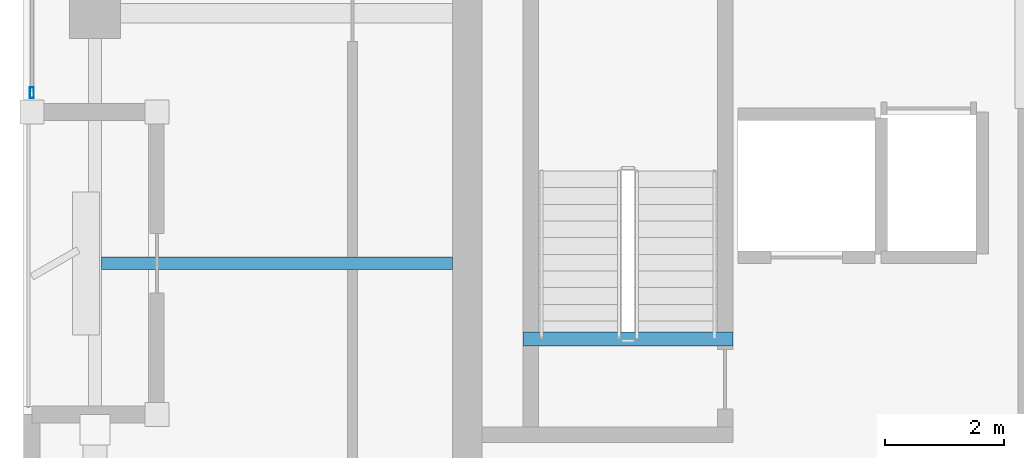
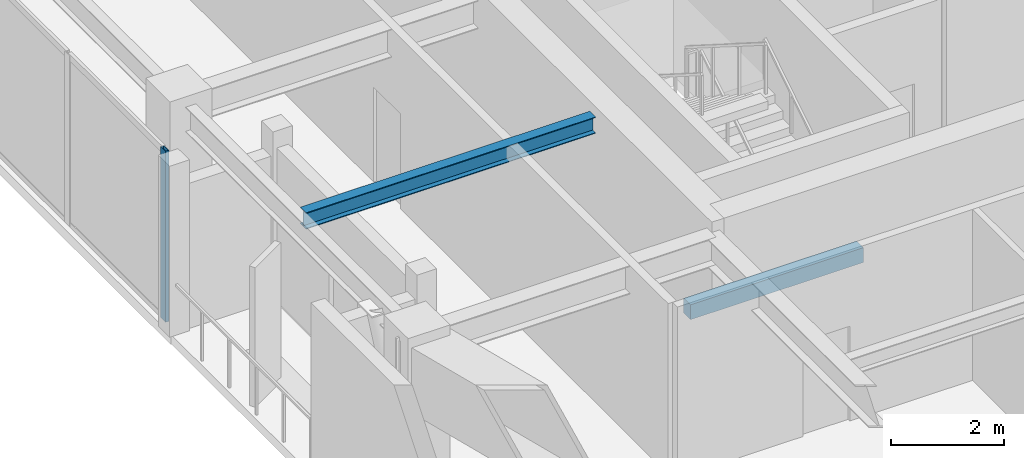
# One storey, part 2 of 15: 2 beams, 1 member, 1 element without a shape of its own.
"""IFC4 building model written with IfcOpenShell, lengths in metres."""

from ifc_helpers import new_model, si_unit, direction, frame, origin, origin_2d, place, context, subcontext, project, spatial, rectangle, hollow_rectangle, i_section, extrude, material, layer, layer_set, material_profile, profile_set, type_object, element, aggregate, save


model = new_model("IFC4")

# Units and contexts
model_context = context("Model", 3, precision=1e-05, world=origin(), true_north=direction((0.0, 1.0)))
body_context = subcontext(model_context, "Body", "Model", "MODEL_VIEW")
ifc_project = project(units=[si_unit("LENGTHUNIT", "METRE"), si_unit("AREAUNIT", "SQUARE_METRE"), si_unit("VOLUMEUNIT", "CUBIC_METRE"), si_unit("PLANEANGLEUNIT", "RADIAN"), si_unit("MASSUNIT", "GRAM", prefix="KILO")], contexts=[model_context])

# Site, building, storey
site_placement = place(None, origin())
site = spatial("IfcSite", under=ifc_project, at=site_placement, CompositionType="ELEMENT")
building_placement = place(site_placement, origin())
building = spatial("IfcBuilding", under=site, at=building_placement, Name="Kiyonajd Concourse Tower", CompositionType="ELEMENT")
storey_placement = place(building_placement, frame((0.0, 0.0, 321.89990234375)))
storey = spatial("IfcBuildingStorey", under=building, at=storey_placement, Name="L81", CompositionType="ELEMENT", Elevation=321.89990234375)

# Beams
ifc_material_1 = material(Name="Steel ASTM A992 Grade 50", Category="steel")
ifc_material_profile_1 = material_profile(ifc_material_1, i_section(OverallWidth=0.205078125, OverallDepth=0.35400390625, WebThickness=0.009521484375, FlangeThickness=0.016845703125, at=origin_2d()), Name="W360X79")
ifc_profile_set_1 = profile_set([ifc_material_profile_1], Name="Steel ASTM A992 Grade 50")
beam_type_1 = type_object("IfcBeamType", Name="BM-JST-360", PredefinedType="JOIST", material=ifc_profile_set_1)
beam_1_placement = place(storey_placement, frame((26.505615234375, 31.800048828125, 3.503173828125), z_axis=(1.0, 0.0, 0.0), x_axis=(0.0, 1.0, 0.0)))
element("IfcBeam", 1, at=beam_1_placement, inside=storey, type_object=beam_type_1, Name="L81 West Secondary Floor Joist", PredefinedType="JOIST", context=body_context, shape_type="SweptSolid", body=[
    extrude(i_section(OverallWidth=0.205078125, OverallDepth=0.35400390625, WebThickness=0.009521484375, FlangeThickness=0.016845703125, at=origin_2d()), origin(), (0.0, 0.0, 1.0), 5.894287109375),
])
ifc_material_2 = material(Name="Concrete C50/60", Category="concrete")
ifc_material_profile_2 = material_profile(ifc_material_2, rectangle(XDim=0.239990234375, YDim=0.320068359375, at=origin_2d()), Name="RCBM-240x320")
ifc_profile_set_2 = profile_set([ifc_material_profile_2], Name="Concrete C50/60")
beam_type_2 = type_object("IfcBeamType", Name="BM-LNT-250", PredefinedType="LINTEL", material=ifc_profile_set_2)
beam_2_placement = place(storey_placement, frame((33.590087890625, 30.530029296875, -0.159912109375), z_axis=(1.0, 0.0, 0.0), x_axis=(0.0, 1.0, 0.0)))
element("IfcBeam", 2, at=beam_2_placement, inside=storey, type_object=beam_type_2, Name="L81 Stair ST1 Threshold Support Beam", PredefinedType="LINTEL", context=body_context, shape_type="SweptSolid", body=[
    extrude(rectangle(XDim=0.239990234375, YDim=0.320068359375, at=origin_2d()), origin(), (0.0, 0.0, 1.0), 3.52001953125),
])

# Curtain wall, member
ifc_material_3 = material(Name="Thermally Broken Anodised Aluminium", Category="aluminium")
ifc_layer = layer(ifc_material_3, 0.179931640625)
ifc_layer_set = layer_set([ifc_layer], Name="Thermally Broken Anodised Aluminium")
curtain_wall_type = type_object("IfcCurtainWallType", Name="CW-SYS-04", PredefinedType="NOTDEFINED", material=ifc_layer_set)
curtain_wall_placement = place(storey_placement, origin())
curtain_wall = element("IfcCurtainWall", 3, at=curtain_wall_placement, inside=storey, type_object=curtain_wall_type, Name="L81 Unitised Curtain Wall CW4", PredefinedType="NOTDEFINED")
ifc_material_profile_3 = material_profile(ifc_material_3, hollow_rectangle(XDim=0.06494140625, YDim=0.179931640625, WallThickness=0.00390625, at=origin_2d()), Name="MULL-65x180")
ifc_profile_set_3 = profile_set([ifc_material_profile_3], Name="Thermally Broken Anodised Aluminium")
member_type = type_object("IfcMemberType", Name="MB-CW-MULL1", PredefinedType="MULLION", material=ifc_profile_set_3)
member_placement = place(storey_placement, frame((25.340087890625, 34.66259765625, 0.0), z_axis=(0.0, 0.0, 1.0), x_axis=(-1.0, 0.0, 0.0)))
member = element("IfcMember", 4, at=member_placement, type_object=member_type, Name="CW4 mullion 1", PredefinedType="MULLION", context=body_context, shape_type="SweptSolid", body=[
    extrude(hollow_rectangle(XDim=0.06494140625, YDim=0.179931640625, WallThickness=0.00390625, at=origin_2d()), origin(), (0.0, 0.0, 1.0), 3.68017578125),
])
aggregate(curtain_wall, [member])

save(model, "model.ifc")
